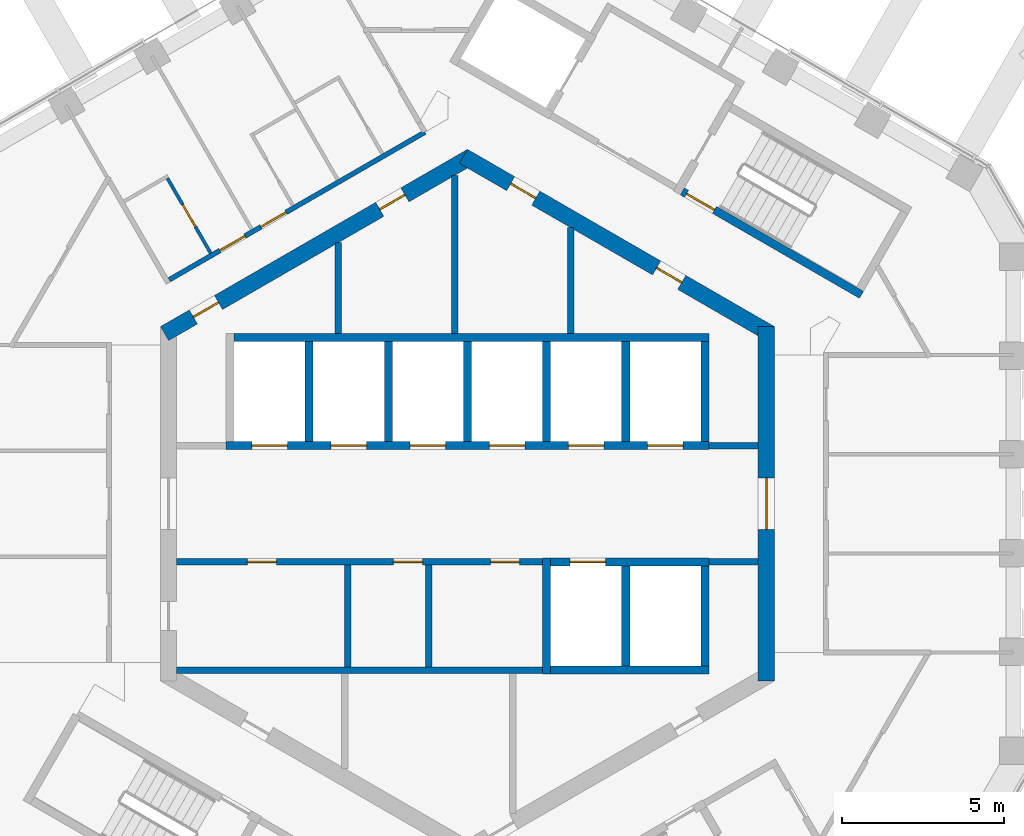
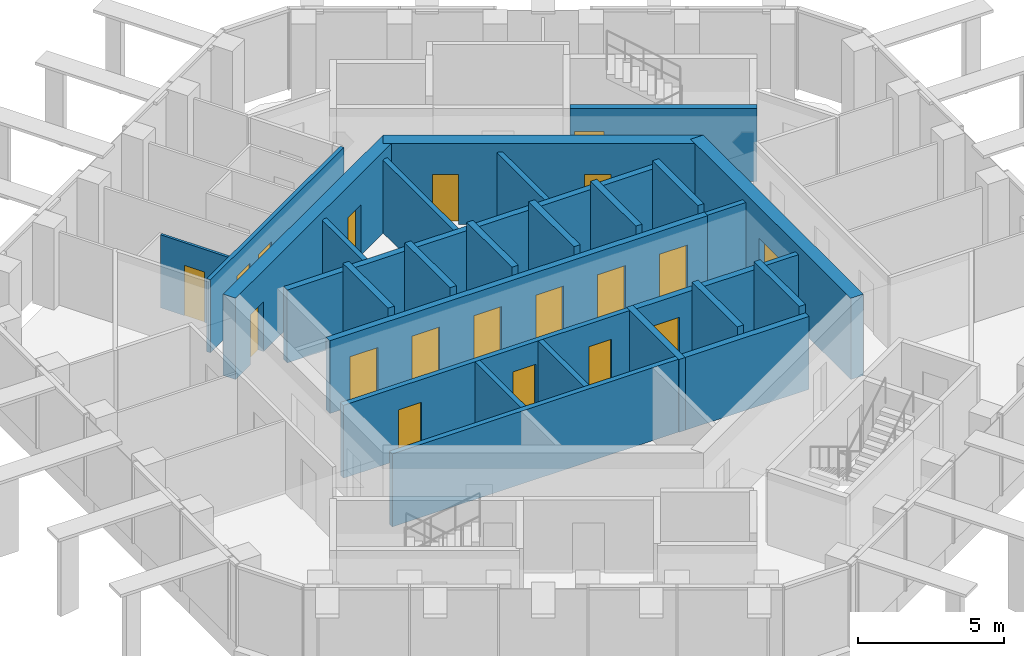
# One storey, part 12 of 19: 28 walls, 19 doors, 19 openings.
"""IFC4 building model written with IfcOpenShell, lengths in metres."""

from ifc_helpers import new_model, si_unit, direction, frame, frame_2d, origin, place, context, subcontext, project, spatial, rectangle, extrude, material, layer, layer_set, type_object, element, fill, save


model = new_model("IFC4")

# Units and contexts
model_context = context("Model", 3, precision=1e-05, world=origin(), true_north=direction((0.0, 1.0)))
body_context = subcontext(model_context, "Body", "Model", "MODEL_VIEW")
ifc_project = project(units=[si_unit("LENGTHUNIT", "METRE"), si_unit("AREAUNIT", "SQUARE_METRE"), si_unit("VOLUMEUNIT", "CUBIC_METRE"), si_unit("PLANEANGLEUNIT", "RADIAN"), si_unit("MASSUNIT", "GRAM", prefix="KILO")], contexts=[model_context])

# Site, building, storey
site_placement = place(None, origin())
site = spatial("IfcSite", under=ifc_project, at=site_placement, CompositionType="ELEMENT")
building_placement = place(site_placement, origin())
building = spatial("IfcBuilding", under=site, at=building_placement, Name="Ayvan Gate Tower", CompositionType="ELEMENT")
storey_placement = place(building_placement, frame((0.0, 0.0, 235.89990234375)))
storey = spatial("IfcBuildingStorey", under=building, at=storey_placement, Name="L63", CompositionType="ELEMENT", Elevation=235.89990234375)

# Wall, opening, door
ifc_material_1 = material(Name="Concrete C60/75", Category="concrete")
ifc_layer_1 = layer(ifc_material_1, 0.5)
ifc_layer_set_1 = layer_set([ifc_layer_1], Name="Concrete C60/75")
wall_type_1 = type_object("IfcWallType", Name="Core wall 500 C60/75", PredefinedType="SHEAR", material=ifc_layer_set_1)
wall_1_placement = place(storey_placement, frame((9.25, -5.48486328125, 0.0), z_axis=(0.0, 0.0, 1.0), x_axis=(0.0, 1.0, 0.0)))
wall_1 = element("IfcWall", 1, at=wall_1_placement, inside=storey, type_object=wall_type_1, Name="CORE-L63-0", PredefinedType="SHEAR", context=body_context, shape_type="SweptSolid", body=[
    extrude(rectangle(XDim=10.9697265625, YDim=0.5, at=frame_2d((5.48486328125, 0.0))), origin(), (0.0, 0.0, 1.0), 3.400146484375),
])
opening_1_placement = place(wall_1_placement, frame((4.684814453125, 0.0, 0.0)))
opening_1 = element("IfcOpeningElement", 2, at=opening_1_placement, cuts=wall_1, Name="Opening L63-D46", PredefinedType="OPENING", context=body_context, shape_type="SweptSolid", body=[
    extrude(rectangle(XDim=1.60009765625, YDim=2.10009765625, at=frame_2d((0.800048828125, 1.050048828125))), frame((0.0, 0.260009765625, 0.0), z_axis=(0.0, -1.0, 0.0), x_axis=(1.0, 0.0, 0.0)), (0.0, 0.0, 1.0), 0.52001953125),
])
ifc_material_2 = material(Name="Timber door leaf", Category="wood")
door_type_1 = type_object("IfcDoorType", Name="DT-1600", OperationType="NOTDEFINED", PredefinedType="DOOR", material=ifc_material_2)
door_1_placement = place(opening_1_placement, origin())
door_1 = element("IfcDoor", 3, at=door_1_placement, inside=storey, type_object=door_type_1, Name="CD-L63-46", OperationType="SINGLE_SWING_LEFT", OverallHeight=2.10009765625, OverallWidth=1.60009765625, PredefinedType="DOOR", context=body_context, shape_type="SweptSolid", body=[
    extrude(rectangle(XDim=1.60009765625, YDim=2.10009765625, at=frame_2d((0.800048828125, 1.050048828125))), frame((0.0, 0.02490234375, 0.0), z_axis=(0.0, -1.0, 0.0), x_axis=(1.0, 0.0, 0.0)), (0.0, 0.0, 1.0), 0.050048828125),
])
fill(opening_1, door_1)

# Wall, openings, doors
wall_2_placement = place(storey_placement, frame((9.375, 5.268310546875, 0.0), z_axis=(0.0, 0.0, 1.0), x_axis=(-0.866023993627, 0.500002442456, 0.0)))
wall_2 = element("IfcWall", 4, at=wall_2_placement, inside=storey, type_object=wall_type_1, Name="CORE-L63-1", PredefinedType="SHEAR", context=body_context, shape_type="SweptSolid", body=[
    extrude(rectangle(XDim=10.9697265625, YDim=0.5, at=frame_2d((5.48486328125, 0.0))), origin(), (0.0, 0.0, 1.0), 3.400146484375),
])
opening_2_placement = place(wall_2_placement, frame((8.3828125, 0.0, 0.0)))
opening_2 = element("IfcOpeningElement", 5, at=opening_2_placement, cuts=wall_2, Name="Opening L63-D40", PredefinedType="OPENING", context=body_context, shape_type="SweptSolid", body=[
    extrude(rectangle(XDim=0.89990234375, YDim=2.10009765625, at=frame_2d((0.449951171875, 1.050048828125))), frame((0.0, 0.260009765625, 0.0), z_axis=(0.0, -1.0, 0.0), x_axis=(1.0, 0.0, 0.0)), (0.0, 0.0, 1.0), 0.52001953125),
])
opening_3_placement = place(wall_2_placement, frame((3.164794921875, 0.0, 0.0)))
opening_3 = element("IfcOpeningElement", 6, at=opening_3_placement, cuts=wall_2, Name="Opening L63-D41", PredefinedType="OPENING", context=body_context, shape_type="SweptSolid", body=[
    extrude(rectangle(XDim=0.89990234375, YDim=2.10009765625, at=frame_2d((0.449951171875, 1.050048828125))), frame((0.0, 0.260009765625, 0.0), z_axis=(0.0, -1.0, 0.0), x_axis=(1.0, 0.0, 0.0)), (0.0, 0.0, 1.0), 0.52001953125),
])
door_type_2 = type_object("IfcDoorType", Name="DT-900", OperationType="NOTDEFINED", PredefinedType="DOOR", material=ifc_material_2)
door_2_placement = place(opening_2_placement, origin())
door_2 = element("IfcDoor", 7, at=door_2_placement, inside=storey, type_object=door_type_2, Name="CD-L63-40", OperationType="SINGLE_SWING_LEFT", OverallHeight=2.10009765625, OverallWidth=0.89990234375, PredefinedType="DOOR", context=body_context, shape_type="SweptSolid", body=[
    extrude(rectangle(XDim=0.89990234375, YDim=2.10009765625, at=frame_2d((0.449951171875, 1.050048828125))), frame((0.0, 0.02490234375, 0.0), z_axis=(0.0, -1.0, 0.0), x_axis=(1.0, 0.0, 0.0)), (0.0, 0.0, 1.0), 0.050048828125),
])
fill(opening_2, door_2)
door_3_placement = place(opening_3_placement, origin())
door_3 = element("IfcDoor", 8, at=door_3_placement, inside=storey, type_object=door_type_2, Name="CD-L63-41", OperationType="SINGLE_SWING_RIGHT", OverallHeight=2.10009765625, OverallWidth=0.89990234375, PredefinedType="DOOR", context=body_context, shape_type="SweptSolid", body=[
    extrude(rectangle(XDim=0.89990234375, YDim=2.10009765625, at=frame_2d((0.449951171875, 1.050048828125))), frame((0.0, 0.02490234375, 0.0), z_axis=(0.0, -1.0, 0.0), x_axis=(1.0, 0.0, 0.0)), (0.0, 0.0, 1.0), 0.050048828125),
])
fill(opening_3, door_3)

wall_3_placement = place(storey_placement, frame((0.125, 10.753173828125, 0.0), z_axis=(0.0, 0.0, 1.0), x_axis=(-0.866023993627, -0.500002442456, 0.0)))
wall_3 = element("IfcWall", 9, at=wall_3_placement, inside=storey, type_object=wall_type_1, Name="CORE-L63-2", PredefinedType="SHEAR", context=body_context, shape_type="SweptSolid", body=[
    extrude(rectangle(XDim=10.9697265625, YDim=0.5, at=frame_2d((5.48486328125, 0.0))), origin(), (0.0, 0.0, 1.0), 3.400146484375),
])
opening_4_placement = place(wall_3_placement, frame((9.042724609375, 0.0, 0.0)))
opening_4 = element("IfcOpeningElement", 10, at=opening_4_placement, cuts=wall_3, Name="Opening L63-D38", PredefinedType="OPENING", context=body_context, shape_type="SweptSolid", body=[
    extrude(rectangle(XDim=0.89990234375, YDim=2.10009765625, at=frame_2d((0.449951171875, 1.050048828125))), frame((0.0, 0.260009765625, 0.0), z_axis=(0.0, -1.0, 0.0), x_axis=(1.0, 0.0, 0.0)), (0.0, 0.0, 1.0), 0.52001953125),
])
opening_5_placement = place(wall_3_placement, frame((2.379638671875, 0.0, 0.0)))
opening_5 = element("IfcOpeningElement", 11, at=opening_5_placement, cuts=wall_3, Name="Opening L63-D39", PredefinedType="OPENING", context=body_context, shape_type="SweptSolid", body=[
    extrude(rectangle(XDim=0.89990234375, YDim=2.10009765625, at=frame_2d((0.449951171875, 1.050048828125))), frame((0.0, 0.260009765625, 0.0), z_axis=(0.0, -1.0, 0.0), x_axis=(1.0, 0.0, 0.0)), (0.0, 0.0, 1.0), 0.52001953125),
])
door_4_placement = place(opening_4_placement, origin())
door_4 = element("IfcDoor", 12, at=door_4_placement, inside=storey, type_object=door_type_2, Name="CD-L63-38", OperationType="SINGLE_SWING_LEFT", OverallHeight=2.10009765625, OverallWidth=0.89990234375, PredefinedType="DOOR", context=body_context, shape_type="SweptSolid", body=[
    extrude(rectangle(XDim=0.89990234375, YDim=2.10009765625, at=frame_2d((0.449951171875, 1.050048828125))), frame((0.0, 0.02490234375, 0.0), z_axis=(0.0, -1.0, 0.0), x_axis=(1.0, 0.0, 0.0)), (0.0, 0.0, 1.0), 0.050048828125),
])
fill(opening_4, door_4)
door_5_placement = place(opening_5_placement, origin())
door_5 = element("IfcDoor", 13, at=door_5_placement, inside=storey, type_object=door_type_2, Name="CD-L63-39", OperationType="SINGLE_SWING_RIGHT", OverallHeight=2.10009765625, OverallWidth=0.89990234375, PredefinedType="DOOR", context=body_context, shape_type="SweptSolid", body=[
    extrude(rectangle(XDim=0.89990234375, YDim=2.10009765625, at=frame_2d((0.449951171875, 1.050048828125))), frame((0.0, 0.02490234375, 0.0), z_axis=(0.0, -1.0, 0.0), x_axis=(1.0, 0.0, 0.0)), (0.0, 0.0, 1.0), 0.050048828125),
])
fill(opening_5, door_5)

ifc_material_3 = material(Name="Plasterboard on steel stud", Category="steel")
ifc_layer_2 = layer(ifc_material_3, 0.14990234375)
ifc_layer_set_2 = layer_set([ifc_layer_2], Name="Plasterboard on steel stud")
wall_type_2 = type_object("IfcWallType", Name="WT-CORR-150", PredefinedType="PARTITIONING", material=ifc_layer_set_2)
wall_4_placement = place(storey_placement, frame((-9.2333984375, 6.93212890625, 0.0), z_axis=(0.0, 0.0, 1.0), x_axis=(0.866032495305, 0.499987716925, 0.0)))
wall_4 = element("IfcWall", 14, at=wall_4_placement, inside=storey, type_object=wall_type_2, Name="IW-L63-011", PredefinedType="PARTITIONING", context=body_context, shape_type="SweptSolid", body=[
    extrude(rectangle(XDim=9.135498046875, YDim=0.14990234375, at=frame_2d((4.56787109375, 0.0))), origin(), (0.0, 0.0, 1.0), 3.050048828125),
])
opening_6_placement = place(wall_4_placement, frame((3.2802734375, 0.0, 0.0)))
opening_6 = element("IfcOpeningElement", 15, at=opening_6_placement, cuts=wall_4, Name="Opening L63-D34", PredefinedType="OPENING", context=body_context, shape_type="SweptSolid", body=[
    extrude(rectangle(XDim=0.89990234375, YDim=2.10009765625, at=frame_2d((0.449951171875, 1.050048828125))), frame((0.0, 0.0849609375, 0.0), z_axis=(0.0, -1.0, 0.0), x_axis=(1.0, 0.0, 0.0)), (0.0, 0.0, 1.0), 0.169921875),
])
opening_7_placement = place(wall_4_placement, frame((1.81005859375, 0.0, 0.0)))
opening_7 = element("IfcOpeningElement", 16, at=opening_7_placement, cuts=wall_4, Name="Opening L63-D36", PredefinedType="OPENING", context=body_context, shape_type="SweptSolid", body=[
    extrude(rectangle(XDim=0.89990234375, YDim=2.10009765625, at=frame_2d((0.449951171875, 1.050048828125))), frame((0.0, 0.0849609375, 0.0), z_axis=(0.0, -1.0, 0.0), x_axis=(1.0, 0.0, 0.0)), (0.0, 0.0, 1.0), 0.169921875),
])
door_6_placement = place(opening_6_placement, origin())
door_6 = element("IfcDoor", 17, at=door_6_placement, inside=storey, type_object=door_type_2, Name="ID-L63-034", OperationType="SINGLE_SWING_LEFT", OverallHeight=2.10009765625, OverallWidth=0.89990234375, PredefinedType="DOOR", context=body_context, shape_type="SweptSolid", body=[
    extrude(rectangle(XDim=0.89990234375, YDim=2.10009765625, at=frame_2d((0.449951171875, 1.050048828125))), frame((0.0, 0.02490234375, 0.0), z_axis=(0.0, -1.0, 0.0), x_axis=(1.0, 0.0, 0.0)), (0.0, 0.0, 1.0), 0.050048828125),
])
fill(opening_6, door_6)
door_7_placement = place(opening_7_placement, origin())
door_7 = element("IfcDoor", 18, at=door_7_placement, inside=storey, type_object=door_type_2, Name="ID-L63-036", OperationType="SINGLE_SWING_LEFT", OverallHeight=2.10009765625, OverallWidth=0.89990234375, PredefinedType="DOOR", context=body_context, shape_type="SweptSolid", body=[
    extrude(rectangle(XDim=0.89990234375, YDim=2.10009765625, at=frame_2d((0.449951171875, 1.050048828125))), frame((0.0, 0.02490234375, 0.0), z_axis=(0.0, -1.0, 0.0), x_axis=(1.0, 0.0, 0.0)), (0.0, 0.0, 1.0), 0.050048828125),
])
fill(opening_7, door_7)

# Wall, opening, door
ifc_layer_3 = layer(ifc_material_3, 0.10009765625)
ifc_layer_set_3 = layer_set([ifc_layer_3], Name="Plasterboard on steel stud")
wall_type_3 = type_object("IfcWallType", Name="WT-PART-100", PredefinedType="PARTITIONING", material=ifc_layer_set_3)
wall_5_placement = place(storey_placement, frame((-7.9501953125, 7.759521484375, 0.0), z_axis=(0.0, 0.0, 1.0), x_axis=(-0.499967368674, 0.86604424267, 0.0)))
wall_5 = element("IfcWall", 19, at=wall_5_placement, inside=storey, type_object=wall_type_3, Name="IW-L63-015", PredefinedType="PARTITIONING", context=body_context, shape_type="SweptSolid", body=[
    extrude(rectangle(XDim=2.675048828125, YDim=0.10009765625, at=frame_2d((1.33740234375, 0.0))), origin(), (0.0, 0.0, 1.0), 3.050048828125),
])
opening_8_placement = place(wall_5_placement, frame((0.9375, 0.0, 0.0)))
opening_8 = element("IfcOpeningElement", 20, at=opening_8_placement, cuts=wall_5, Name="Opening L63-D37", PredefinedType="OPENING", context=body_context, shape_type="SweptSolid", body=[
    extrude(rectangle(XDim=0.800048828125, YDim=2.10009765625, at=frame_2d((0.39990234375, 1.050048828125))), frame((0.0, 0.06005859375, 0.0), z_axis=(0.0, -1.0, 0.0), x_axis=(1.0, 0.0, 0.0)), (0.0, 0.0, 1.0), 0.1201171875),
])
door_type_3 = type_object("IfcDoorType", Name="DT-800", OperationType="NOTDEFINED", PredefinedType="DOOR", material=ifc_material_2)
door_8_placement = place(opening_8_placement, origin())
door_8 = element("IfcDoor", 21, at=door_8_placement, inside=storey, type_object=door_type_3, Name="ID-L63-037", OperationType="SINGLE_SWING_RIGHT", OverallHeight=2.10009765625, OverallWidth=0.800048828125, PredefinedType="DOOR", context=body_context, shape_type="SweptSolid", body=[
    extrude(rectangle(XDim=0.800048828125, YDim=2.10009765625, at=frame_2d((0.39990234375, 1.050048828125))), frame((0.0, 0.02490234375, 0.0), z_axis=(0.0, -1.0, 0.0), x_axis=(1.0, 0.0, 0.0)), (0.0, 0.0, 1.0), 0.050048828125),
])
fill(opening_8, door_8)

# Walls
ifc_layer_4 = layer(ifc_material_3, 0.199951171875)
ifc_layer_set_4 = layer_set([ifc_layer_4], Name="Plasterboard on steel stud")
wall_type_4 = type_object("IfcWallType", Name="WT-RATED-200", PredefinedType="PARTITIONING", material=ifc_layer_set_4)
wall_6_placement = place(storey_placement, frame((-9.0, -5.14990234375, 0.0), z_axis=(0.0, 0.0, 1.0), x_axis=(1.0, 0.0, 0.0)))
element("IfcWall", 22, at=wall_6_placement, inside=storey, type_object=wall_type_4, Name="IW-L63-013", PredefinedType="PARTITIONING", context=body_context, shape_type="SweptSolid", body=[
    extrude(rectangle(XDim=11.3251953125, YDim=0.199951171875, at=frame_2d((5.66259765625, 0.0))), origin(), (0.0, 0.0, 1.0), 3.050048828125),
])
wall_7_placement = place(storey_placement, frame((-4.0, 8.0830078125, 0.0), z_axis=(0.0, 0.0, 1.0), x_axis=(0.0, -1.0, 0.0)))
element("IfcWall", 23, at=wall_7_placement, inside=storey, type_object=wall_type_4, Name="IW-L63-026", PredefinedType="PARTITIONING", context=body_context, shape_type="SweptSolid", body=[
    extrude(rectangle(XDim=2.80810546875, YDim=0.199951171875, at=frame_2d((1.404052734375, 0.0))), origin(), (0.0, 0.0, 1.0), 3.050048828125),
])
wall_8_placement = place(storey_placement, frame((-3.699951171875, -1.89990234375, 0.0), z_axis=(0.0, 0.0, 1.0), x_axis=(0.0, -1.0, 0.0)))
element("IfcWall", 24, at=wall_8_placement, inside=storey, type_object=wall_type_4, Name="IW-L63-029", PredefinedType="PARTITIONING", context=body_context, shape_type="SweptSolid", body=[
    extrude(rectangle(XDim=3.150146484375, YDim=0.199951171875, at=frame_2d((1.5751953125, 0.0))), origin(), (0.0, 0.0, 1.0), 3.050048828125),
])

# Wall, openings, doors
wall_9_placement = place(storey_placement, frame((-9.0, -1.800048828125, 0.0), z_axis=(0.0, 0.0, 1.0), x_axis=(1.0, 0.0, 0.0)))
wall_9 = element("IfcWall", 25, at=wall_9_placement, inside=storey, type_object=wall_type_4, Name="IW-L63-030", PredefinedType="PARTITIONING", context=body_context, shape_type="SweptSolid", body=[
    extrude(rectangle(XDim=11.3251953125, YDim=0.199951171875, at=frame_2d((5.66259765625, 0.0))), origin(), (0.0, 0.0, 1.0), 3.050048828125),
])
opening_9_placement = place(wall_9_placement, frame((2.18505859375, 0.0, 0.0)))
opening_9 = element("IfcOpeningElement", 26, at=opening_9_placement, cuts=wall_9, Name="Opening L63-D08", PredefinedType="OPENING", context=body_context, shape_type="SweptSolid", body=[
    extrude(rectangle(XDim=0.89990234375, YDim=2.10009765625, at=frame_2d((0.449951171875, 1.050048828125))), frame((0.0, 0.10986328125, 0.0), z_axis=(0.0, -1.0, 0.0), x_axis=(1.0, 0.0, 0.0)), (0.0, 0.0, 1.0), 0.219970703125),
])
opening_10_placement = place(wall_9_placement, frame((6.7099609375, 0.0, 0.0)))
opening_10 = element("IfcOpeningElement", 27, at=opening_10_placement, cuts=wall_9, Name="Opening L63-D09", PredefinedType="OPENING", context=body_context, shape_type="SweptSolid", body=[
    extrude(rectangle(XDim=0.89990234375, YDim=2.10009765625, at=frame_2d((0.449951171875, 1.050048828125))), frame((0.0, 0.10986328125, 0.0), z_axis=(0.0, -1.0, 0.0), x_axis=(1.0, 0.0, 0.0)), (0.0, 0.0, 1.0), 0.219970703125),
])
opening_11_placement = place(wall_9_placement, frame((9.712646484375, 0.0, 0.0)))
opening_11 = element("IfcOpeningElement", 28, at=opening_11_placement, cuts=wall_9, Name="Opening L63-D10", PredefinedType="OPENING", context=body_context, shape_type="SweptSolid", body=[
    extrude(rectangle(XDim=0.89990234375, YDim=2.10009765625, at=frame_2d((0.449951171875, 1.050048828125))), frame((0.0, 0.10986328125, 0.0), z_axis=(0.0, -1.0, 0.0), x_axis=(1.0, 0.0, 0.0)), (0.0, 0.0, 1.0), 0.219970703125),
])
door_9_placement = place(opening_9_placement, origin())
door_9 = element("IfcDoor", 29, at=door_9_placement, inside=storey, type_object=door_type_2, Name="ID-L63-008", OperationType="SINGLE_SWING_LEFT", OverallHeight=2.10009765625, OverallWidth=0.89990234375, PredefinedType="DOOR", context=body_context, shape_type="SweptSolid", body=[
    extrude(rectangle(XDim=0.89990234375, YDim=2.10009765625, at=frame_2d((0.449951171875, 1.050048828125))), frame((0.0, 0.02490234375, 0.0), z_axis=(0.0, -1.0, 0.0), x_axis=(1.0, 0.0, 0.0)), (0.0, 0.0, 1.0), 0.050048828125),
])
fill(opening_9, door_9)
door_10_placement = place(opening_10_placement, origin())
door_10 = element("IfcDoor", 30, at=door_10_placement, inside=storey, type_object=door_type_2, Name="ID-L63-009", OperationType="SINGLE_SWING_RIGHT", OverallHeight=2.10009765625, OverallWidth=0.89990234375, PredefinedType="DOOR", context=body_context, shape_type="SweptSolid", body=[
    extrude(rectangle(XDim=0.89990234375, YDim=2.10009765625, at=frame_2d((0.449951171875, 1.050048828125))), frame((0.0, 0.02490234375, 0.0), z_axis=(0.0, -1.0, 0.0), x_axis=(1.0, 0.0, 0.0)), (0.0, 0.0, 1.0), 0.050048828125),
])
fill(opening_10, door_10)
door_11_placement = place(opening_11_placement, origin())
door_11 = element("IfcDoor", 31, at=door_11_placement, inside=storey, type_object=door_type_2, Name="ID-L63-010", OperationType="SINGLE_SWING_LEFT", OverallHeight=2.10009765625, OverallWidth=0.89990234375, PredefinedType="DOOR", context=body_context, shape_type="SweptSolid", body=[
    extrude(rectangle(XDim=0.89990234375, YDim=2.10009765625, at=frame_2d((0.449951171875, 1.050048828125))), frame((0.0, 0.02490234375, 0.0), z_axis=(0.0, -1.0, 0.0), x_axis=(1.0, 0.0, 0.0)), (0.0, 0.0, 1.0), 0.050048828125),
])
fill(opening_11, door_11)

# Walls
wall_10_placement = place(storey_placement, frame((-1.199951171875, -1.89990234375, 0.0), z_axis=(0.0, 0.0, 1.0), x_axis=(0.0, -1.0, 0.0)))
element("IfcWall", 32, at=wall_10_placement, inside=storey, type_object=wall_type_4, Name="IW-L63-039", PredefinedType="PARTITIONING", context=body_context, shape_type="SweptSolid", body=[
    extrude(rectangle(XDim=3.150146484375, YDim=0.199951171875, at=frame_2d((1.5751953125, 0.0))), origin(), (0.0, 0.0, 1.0), 3.050048828125),
])
wall_11_placement = place(storey_placement, frame((-0.39990234375, 10.161376953125, 0.0), z_axis=(0.0, 0.0, 1.0), x_axis=(0.0, -1.0, 0.0)))
element("IfcWall", 33, at=wall_11_placement, inside=storey, type_object=wall_type_4, Name="IW-L63-041", PredefinedType="PARTITIONING", context=body_context, shape_type="SweptSolid", body=[
    extrude(rectangle(XDim=4.886474609375, YDim=0.199951171875, at=frame_2d((2.443359375, 0.0))), origin(), (0.0, 0.0, 1.0), 3.050048828125),
])
wall_12_placement = place(storey_placement, frame((3.199951171875, 8.544921875, 0.0), z_axis=(0.0, 0.0, 1.0), x_axis=(0.0, -1.0, 0.0)))
element("IfcWall", 34, at=wall_12_placement, inside=storey, type_object=wall_type_4, Name="IW-L63-053", PredefinedType="PARTITIONING", context=body_context, shape_type="SweptSolid", body=[
    extrude(rectangle(XDim=3.27001953125, YDim=0.199951171875, at=frame_2d((1.635009765625, 0.0))), origin(), (0.0, 0.0, 1.0), 3.050048828125),
])
for number, where, z_axis, x_axis, name in (
    (35, (7.474853515625, 1.800048828125, 0.0), (0.0, 0.0, 1.0), (1.0, 0.0, 0.0), "IW-L63-065"),
    (36, (9.0, -1.800048828125, 0.0), (0.0, 0.0, 1.0), (-1.0, 0.0, 0.0), "IW-L63-072"),
):
    element("IfcWall", number, at=place(storey_placement, frame(where, z_axis=z_axis, x_axis=x_axis)), inside=storey, type_object=wall_type_4, Name=name, PredefinedType="PARTITIONING", context=body_context, shape_type="SweptSolid", body=[
        extrude(rectangle(XDim=1.525146484375, YDim=0.199951171875, at=frame_2d((0.7626953125, 0.0))), origin(), (0.0, 0.0, 1.0), 3.050048828125),
    ])

# Wall, openings, doors
ifc_material_4 = material(Name="Concrete C50/60", Category="concrete")
ifc_layer_5 = layer(ifc_material_4, 0.25)
ifc_layer_set_5 = layer_set([ifc_layer_5], Name="Concrete C50/60")
wall_type_5 = type_object("IfcWallType", Name="WT-RC-250", PredefinedType="SHEAR", material=ifc_layer_set_5)
wall_13_placement = place(storey_placement, frame((-7.47509765625, 1.800048828125, 0.0), z_axis=(0.0, 0.0, 1.0), x_axis=(1.0, 0.0, 0.0)))
wall_13 = element("IfcWall", 37, at=wall_13_placement, inside=storey, type_object=wall_type_5, Name="IW-L63-016", PredefinedType="SHEAR", context=body_context, shape_type="SweptSolid", body=[
    extrude(rectangle(XDim=14.9501953125, YDim=0.25, at=frame_2d((7.47509765625, 0.0))), origin(), (0.0, 0.0, 1.0), 3.050048828125),
])
opening_12_placement = place(wall_13_placement, frame((0.800048828125, 0.0, 0.0)))
opening_12 = element("IfcOpeningElement", 38, at=opening_12_placement, cuts=wall_13, Name="Opening L63-LD-HR1", PredefinedType="OPENING", context=body_context, shape_type="SweptSolid", body=[
    extrude(rectangle(XDim=1.10009765625, YDim=2.10009765625, at=frame_2d((0.550048828125, 1.050048828125))), frame((0.0, 0.135009765625, 0.0), z_axis=(0.0, -1.0, 0.0), x_axis=(1.0, 0.0, 0.0)), (0.0, 0.0, 1.0), 0.27001953125),
])
opening_13_placement = place(wall_13_placement, frame((3.25, 0.0, 0.0)))
opening_13 = element("IfcOpeningElement", 39, at=opening_13_placement, cuts=wall_13, Name="Opening L63-LD-HR2", PredefinedType="OPENING", context=body_context, shape_type="SweptSolid", body=[
    extrude(rectangle(XDim=1.10009765625, YDim=2.10009765625, at=frame_2d((0.550048828125, 1.050048828125))), frame((0.0, 0.135009765625, 0.0), z_axis=(0.0, -1.0, 0.0), x_axis=(1.0, 0.0, 0.0)), (0.0, 0.0, 1.0), 0.27001953125),
])
opening_14_placement = place(wall_13_placement, frame((5.7001953125, 0.0, 0.0)))
opening_14 = element("IfcOpeningElement", 40, at=opening_14_placement, cuts=wall_13, Name="Opening L63-LD-HR3", PredefinedType="OPENING", context=body_context, shape_type="SweptSolid", body=[
    extrude(rectangle(XDim=1.10009765625, YDim=2.10009765625, at=frame_2d((0.550048828125, 1.050048828125))), frame((0.0, 0.135009765625, 0.0), z_axis=(0.0, -1.0, 0.0), x_axis=(1.0, 0.0, 0.0)), (0.0, 0.0, 1.0), 0.27001953125),
])
opening_15_placement = place(wall_13_placement, frame((8.150146484375, 0.0, 0.0)))
opening_15 = element("IfcOpeningElement", 41, at=opening_15_placement, cuts=wall_13, Name="Opening L63-LD-HR4", PredefinedType="OPENING", context=body_context, shape_type="SweptSolid", body=[
    extrude(rectangle(XDim=1.10009765625, YDim=2.10009765625, at=frame_2d((0.550048828125, 1.050048828125))), frame((0.0, 0.135009765625, 0.0), z_axis=(0.0, -1.0, 0.0), x_axis=(1.0, 0.0, 0.0)), (0.0, 0.0, 1.0), 0.27001953125),
])
opening_16_placement = place(wall_13_placement, frame((10.60009765625, 0.0, 0.0)))
opening_16 = element("IfcOpeningElement", 42, at=opening_16_placement, cuts=wall_13, Name="Opening L63-LD-HR5", PredefinedType="OPENING", context=body_context, shape_type="SweptSolid", body=[
    extrude(rectangle(XDim=1.10009765625, YDim=2.10009765625, at=frame_2d((0.550048828125, 1.050048828125))), frame((0.0, 0.135009765625, 0.0), z_axis=(0.0, -1.0, 0.0), x_axis=(1.0, 0.0, 0.0)), (0.0, 0.0, 1.0), 0.27001953125),
])
opening_17_placement = place(wall_13_placement, frame((13.050048828125, 0.0, 0.0)))
opening_17 = element("IfcOpeningElement", 43, at=opening_17_placement, cuts=wall_13, Name="Opening L63-LD-HR6", PredefinedType="OPENING", context=body_context, shape_type="SweptSolid", body=[
    extrude(rectangle(XDim=1.10009765625, YDim=2.10009765625, at=frame_2d((0.550048828125, 1.050048828125))), frame((0.0, 0.135009765625, 0.0), z_axis=(0.0, -1.0, 0.0), x_axis=(1.0, 0.0, 0.0)), (0.0, 0.0, 1.0), 0.27001953125),
])
ifc_material_5 = material(Name="Stainless steel landing door", Category="steel")
door_type_4 = type_object("IfcDoorType", Name="DT-LANDING-1100", OperationType="SLIDING_TO_LEFT", PredefinedType="DOOR", material=ifc_material_5)
door_12_placement = place(opening_12_placement, origin())
door_12 = element("IfcDoor", 44, at=door_12_placement, inside=storey, type_object=door_type_4, Name="ID-L63-001", OperationType="SLIDING_TO_LEFT", OverallHeight=2.10009765625, OverallWidth=1.10009765625, PredefinedType="DOOR", context=body_context, shape_type="SweptSolid", body=[
    extrude(rectangle(XDim=1.10009765625, YDim=2.10009765625, at=frame_2d((0.550048828125, 1.050048828125))), frame((0.0, 0.02490234375, 0.0), z_axis=(0.0, -1.0, 0.0), x_axis=(1.0, 0.0, 0.0)), (0.0, 0.0, 1.0), 0.050048828125),
])
fill(opening_12, door_12)
door_13_placement = place(opening_13_placement, origin())
door_13 = element("IfcDoor", 45, at=door_13_placement, inside=storey, type_object=door_type_4, Name="ID-L63-002", OperationType="SLIDING_TO_LEFT", OverallHeight=2.10009765625, OverallWidth=1.10009765625, PredefinedType="DOOR", context=body_context, shape_type="SweptSolid", body=[
    extrude(rectangle(XDim=1.10009765625, YDim=2.10009765625, at=frame_2d((0.550048828125, 1.050048828125))), frame((0.0, 0.02490234375, 0.0), z_axis=(0.0, -1.0, 0.0), x_axis=(1.0, 0.0, 0.0)), (0.0, 0.0, 1.0), 0.050048828125),
])
fill(opening_13, door_13)
door_14_placement = place(opening_14_placement, origin())
door_14 = element("IfcDoor", 46, at=door_14_placement, inside=storey, type_object=door_type_4, Name="ID-L63-003", OperationType="SLIDING_TO_LEFT", OverallHeight=2.10009765625, OverallWidth=1.10009765625, PredefinedType="DOOR", context=body_context, shape_type="SweptSolid", body=[
    extrude(rectangle(XDim=1.10009765625, YDim=2.10009765625, at=frame_2d((0.550048828125, 1.050048828125))), frame((0.0, 0.02490234375, 0.0), z_axis=(0.0, -1.0, 0.0), x_axis=(1.0, 0.0, 0.0)), (0.0, 0.0, 1.0), 0.050048828125),
])
fill(opening_14, door_14)
door_15_placement = place(opening_15_placement, origin())
door_15 = element("IfcDoor", 47, at=door_15_placement, inside=storey, type_object=door_type_4, Name="ID-L63-004", OperationType="SLIDING_TO_LEFT", OverallHeight=2.10009765625, OverallWidth=1.10009765625, PredefinedType="DOOR", context=body_context, shape_type="SweptSolid", body=[
    extrude(rectangle(XDim=1.10009765625, YDim=2.10009765625, at=frame_2d((0.550048828125, 1.050048828125))), frame((0.0, 0.02490234375, 0.0), z_axis=(0.0, -1.0, 0.0), x_axis=(1.0, 0.0, 0.0)), (0.0, 0.0, 1.0), 0.050048828125),
])
fill(opening_15, door_15)
door_16_placement = place(opening_16_placement, origin())
door_16 = element("IfcDoor", 48, at=door_16_placement, inside=storey, type_object=door_type_4, Name="ID-L63-005", OperationType="SLIDING_TO_LEFT", OverallHeight=2.10009765625, OverallWidth=1.10009765625, PredefinedType="DOOR", context=body_context, shape_type="SweptSolid", body=[
    extrude(rectangle(XDim=1.10009765625, YDim=2.10009765625, at=frame_2d((0.550048828125, 1.050048828125))), frame((0.0, 0.02490234375, 0.0), z_axis=(0.0, -1.0, 0.0), x_axis=(1.0, 0.0, 0.0)), (0.0, 0.0, 1.0), 0.050048828125),
])
fill(opening_16, door_16)
door_17_placement = place(opening_17_placement, origin())
door_17 = element("IfcDoor", 49, at=door_17_placement, inside=storey, type_object=door_type_4, Name="ID-L63-006", OperationType="SLIDING_TO_LEFT", OverallHeight=2.10009765625, OverallWidth=1.10009765625, PredefinedType="DOOR", context=body_context, shape_type="SweptSolid", body=[
    extrude(rectangle(XDim=1.10009765625, YDim=2.10009765625, at=frame_2d((0.550048828125, 1.050048828125))), frame((0.0, 0.02490234375, 0.0), z_axis=(0.0, -1.0, 0.0), x_axis=(1.0, 0.0, 0.0)), (0.0, 0.0, 1.0), 0.050048828125),
])
fill(opening_17, door_17)

# Walls
wall_14_placement = place(storey_placement, frame((-7.22509765625, 5.14990234375, 0.0), z_axis=(0.0, 0.0, 1.0), x_axis=(1.0, 0.0, 0.0)))
element("IfcWall", 50, at=wall_14_placement, inside=storey, type_object=wall_type_5, Name="IW-L63-018", PredefinedType="SHEAR", context=body_context, shape_type="SweptSolid", body=[
    extrude(rectangle(XDim=14.7001953125, YDim=0.25, at=frame_2d((7.35009765625, 0.0))), origin(), (0.0, 0.0, 1.0), 3.050048828125),
])
for number, where, z_axis, x_axis, name in (
    (51, (-4.89990234375, 5.02490234375, 0.0), (0.0, 0.0, 1.0), (0.0, -1.0, 0.0), "IW-L63-025"),
    (52, (-2.449951171875, 5.02490234375, 0.0), (0.0, 0.0, 1.0), (0.0, -1.0, 0.0), "IW-L63-036"),
    (53, (0.0, 5.02490234375, 0.0), (0.0, 0.0, 1.0), (0.0, -1.0, 0.0), "IW-L63-043"),
):
    element("IfcWall", number, at=place(storey_placement, frame(where, z_axis=z_axis, x_axis=x_axis)), inside=storey, type_object=wall_type_5, Name=name, PredefinedType="SHEAR", context=body_context, shape_type="SweptSolid", body=[
        extrude(rectangle(XDim=3.099853515625, YDim=0.25, at=frame_2d((1.5498046875, 0.0))), origin(), (0.0, 0.0, 1.0), 3.400146484375),
    ])
wall_15_placement = place(storey_placement, frame((2.449951171875, -5.27490234375, 0.0), z_axis=(0.0, 0.0, 1.0), x_axis=(0.0, 1.0, 0.0)))
element("IfcWall", 54, at=wall_15_placement, inside=storey, type_object=wall_type_5, Name="IW-L63-048", PredefinedType="SHEAR", context=body_context, shape_type="SweptSolid", body=[
    extrude(rectangle(XDim=3.599853515625, YDim=0.25, at=frame_2d((1.7998046875, 0.0))), origin(), (0.0, 0.0, 1.0), 3.050048828125),
])
wall_16_placement = place(storey_placement, frame((2.449951171875, 5.02490234375, 0.0), z_axis=(0.0, 0.0, 1.0), x_axis=(0.0, -1.0, 0.0)))
element("IfcWall", 55, at=wall_16_placement, inside=storey, type_object=wall_type_5, Name="IW-L63-049", PredefinedType="SHEAR", context=body_context, shape_type="SweptSolid", body=[
    extrude(rectangle(XDim=3.099853515625, YDim=0.25, at=frame_2d((1.5498046875, 0.0))), origin(), (0.0, 0.0, 1.0), 3.400146484375),
])
wall_17_placement = place(storey_placement, frame((2.574951171875, -5.14990234375, 0.0), z_axis=(0.0, 0.0, 1.0), x_axis=(1.0, 0.0, 0.0)))
element("IfcWall", 56, at=wall_17_placement, inside=storey, type_object=wall_type_5, Name="IW-L63-056", PredefinedType="SHEAR", context=body_context, shape_type="SweptSolid", body=[
    extrude(rectangle(XDim=4.900146484375, YDim=0.25, at=frame_2d((2.4501953125, 0.0))), origin(), (0.0, 0.0, 1.0), 3.050048828125),
])
for number, where, z_axis, x_axis, name in (
    (57, (4.89990234375, -1.925048828125, 0.0), (0.0, 0.0, 1.0), (0.0, -1.0, 0.0), "IW-L63-057"),
    (58, (4.89990234375, 5.02490234375, 0.0), (0.0, 0.0, 1.0), (0.0, -1.0, 0.0), "IW-L63-058"),
):
    element("IfcWall", number, at=place(storey_placement, frame(where, z_axis=z_axis, x_axis=x_axis)), inside=storey, type_object=wall_type_5, Name=name, PredefinedType="SHEAR", context=body_context, shape_type="SweptSolid", body=[
        extrude(rectangle(XDim=3.099853515625, YDim=0.25, at=frame_2d((1.5498046875, 0.0))), origin(), (0.0, 0.0, 1.0), 3.400146484375),
    ])

# Wall, opening, door
wall_18_placement = place(storey_placement, frame((2.574951171875, -1.800048828125, 0.0), z_axis=(0.0, 0.0, 1.0), x_axis=(1.0, 0.0, 0.0)))
wall_18 = element("IfcWall", 59, at=wall_18_placement, inside=storey, type_object=wall_type_5, Name="IW-L63-059", PredefinedType="SHEAR", context=body_context, shape_type="SweptSolid", body=[
    extrude(rectangle(XDim=4.900146484375, YDim=0.25, at=frame_2d((2.4501953125, 0.0))), origin(), (0.0, 0.0, 1.0), 3.050048828125),
])
opening_18_placement = place(wall_18_placement, frame((0.597412109375, 0.0, 0.0)))
opening_18 = element("IfcOpeningElement", 60, at=opening_18_placement, cuts=wall_18, Name="Opening L63-LD-SV", PredefinedType="OPENING", context=body_context, shape_type="SweptSolid", body=[
    extrude(rectangle(XDim=1.10009765625, YDim=2.10009765625, at=frame_2d((0.550048828125, 1.050048828125))), frame((0.0, 0.135009765625, 0.0), z_axis=(0.0, -1.0, 0.0), x_axis=(1.0, 0.0, 0.0)), (0.0, 0.0, 1.0), 0.27001953125),
])
door_18_placement = place(opening_18_placement, origin())
door_18 = element("IfcDoor", 61, at=door_18_placement, inside=storey, type_object=door_type_4, Name="ID-L63-007", OperationType="SLIDING_TO_LEFT", OverallHeight=2.10009765625, OverallWidth=1.10009765625, PredefinedType="DOOR", context=body_context, shape_type="SweptSolid", body=[
    extrude(rectangle(XDim=1.10009765625, YDim=2.10009765625, at=frame_2d((0.550048828125, 1.050048828125))), frame((0.0, 0.02490234375, 0.0), z_axis=(0.0, -1.0, 0.0), x_axis=(1.0, 0.0, 0.0)), (0.0, 0.0, 1.0), 0.050048828125),
])
fill(opening_18, door_18)

# Walls
for number, where, z_axis, x_axis, name in (
    (62, (7.35009765625, -1.925048828125, 0.0), (0.0, 0.0, 1.0), (0.0, -1.0, 0.0), "IW-L63-066"),
    (63, (7.35009765625, 5.02490234375, 0.0), (0.0, 0.0, 1.0), (0.0, -1.0, 0.0), "IW-L63-067"),
):
    element("IfcWall", number, at=place(storey_placement, frame(where, z_axis=z_axis, x_axis=x_axis)), inside=storey, type_object=wall_type_5, Name=name, PredefinedType="SHEAR", context=body_context, shape_type="SweptSolid", body=[
        extrude(rectangle(XDim=3.099853515625, YDim=0.25, at=frame_2d((1.5498046875, 0.0))), origin(), (0.0, 0.0, 1.0), 3.400146484375),
    ])

# Wall, opening, door
wall_19_placement = place(storey_placement, frame((12.193603515625, 6.469970703125, 0.0), z_axis=(0.0, 0.0, 1.0), x_axis=(-0.866025499775, 0.499999833739, 0.0)))
wall_19 = element("IfcWall", 64, at=wall_19_placement, inside=storey, type_object=wall_type_5, Name="IW-L63-079", PredefinedType="SHEAR", context=body_context, shape_type="SweptSolid", body=[
    extrude(rectangle(XDim=6.39990234375, YDim=0.25, at=frame_2d((3.199951171875, 0.0))), origin(), (0.0, 0.0, 1.0), 3.050048828125),
])
opening_19_placement = place(wall_19_placement, frame((5.25, 0.0, 0.0)))
opening_19 = element("IfcOpeningElement", 65, at=opening_19_placement, cuts=wall_19, Name="Opening L63-D11", PredefinedType="OPENING", context=body_context, shape_type="SweptSolid", body=[
    extrude(rectangle(XDim=1.0, YDim=2.10009765625, at=frame_2d((0.5, 1.050048828125))), frame((0.0, 0.135009765625, 0.0), z_axis=(0.0, -1.0, 0.0), x_axis=(1.0, 0.0, 0.0)), (0.0, 0.0, 1.0), 0.27001953125),
])
door_type_5 = type_object("IfcDoorType", Name="DT-1000", OperationType="NOTDEFINED", PredefinedType="DOOR", material=ifc_material_2)
door_19_placement = place(opening_19_placement, origin())
door_19 = element("IfcDoor", 66, at=door_19_placement, inside=storey, type_object=door_type_5, Name="ID-L63-011", OperationType="SINGLE_SWING_RIGHT", OverallHeight=2.10009765625, OverallWidth=1.0, PredefinedType="DOOR", context=body_context, shape_type="SweptSolid", body=[
    extrude(rectangle(XDim=1.0, YDim=2.10009765625, at=frame_2d((0.5, 1.050048828125))), frame((0.0, 0.02490234375, 0.0), z_axis=(0.0, -1.0, 0.0), x_axis=(1.0, 0.0, 0.0)), (0.0, 0.0, 1.0), 0.050048828125),
])
fill(opening_19, door_19)

save(model, "model.ifc")
